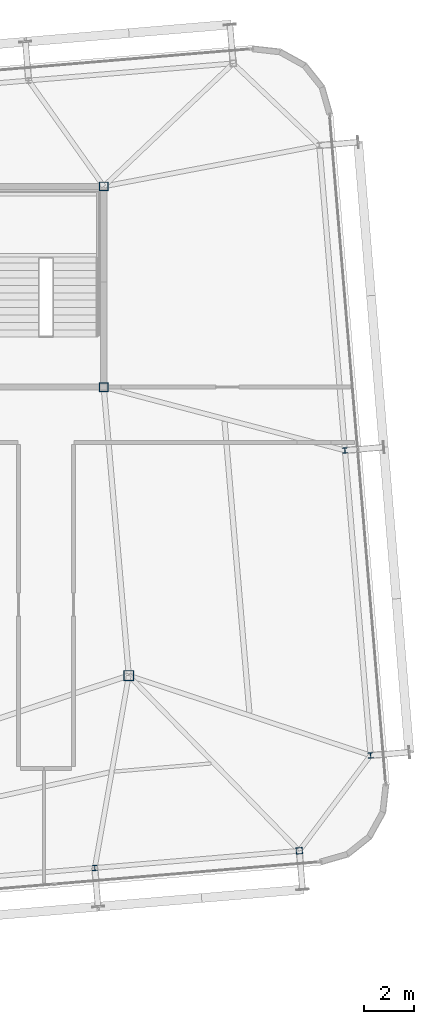
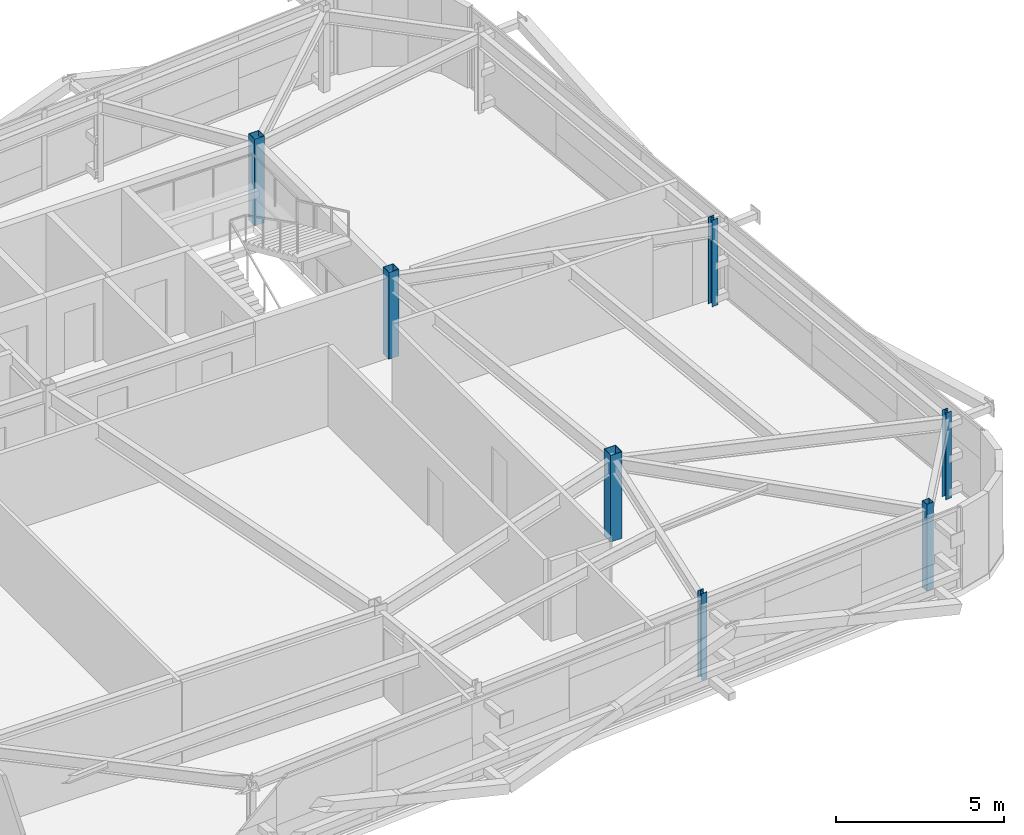
# One storey, part 4 of 37: 7 columns.
"""IFC4 building model written with IfcOpenShell, lengths in metres."""

from ifc_helpers import new_model, si_unit, direction, frame, origin, origin_2d, place, context, subcontext, project, spatial, hollow_rectangle, i_section, extrude, source, transform, mapped, material, material_profile, profile_set, type_object, element, save


model = new_model("IFC4")

# Units and contexts
model_context = context("Model", 3, precision=1e-05, world=origin(), true_north=direction((0.0, 1.0)))
body_context = subcontext(model_context, "Body", "Model", "MODEL_VIEW")
ifc_project = project(units=[si_unit("LENGTHUNIT", "METRE"), si_unit("AREAUNIT", "SQUARE_METRE"), si_unit("VOLUMEUNIT", "CUBIC_METRE"), si_unit("PLANEANGLEUNIT", "RADIAN"), si_unit("MASSUNIT", "GRAM", prefix="KILO")], contexts=[model_context])

# Site, building, storey
site_placement = place(None, origin())
site = spatial("IfcSite", under=ifc_project, at=site_placement, CompositionType="ELEMENT")
building_placement = place(site_placement, origin())
building = spatial("IfcBuilding", under=site, at=building_placement, Name="Taldren Reach Tower", CompositionType="ELEMENT")
storey_placement = place(building_placement, frame((0.0, 0.0, 200.89990234375)))
storey = spatial("IfcBuildingStorey", under=building, at=storey_placement, Name="L61", CompositionType="ELEMENT", Elevation=200.89990234375)

# Columns
ifc_material_1 = material(Name="Steel Gr 450 (C450L0)", Category="steel")
ifc_material_profile_1 = material_profile(ifc_material_1, hollow_rectangle(XDim=0.39990234375, YDim=0.39990234375, WallThickness=0.01611328125, at=origin_2d()), Name="400x400x16.0SHS")
ifc_profile_set_1 = profile_set([ifc_material_profile_1], Name="Steel Gr 450 (C450L0)")
column_type_1 = type_object("IfcColumnType", Name="COL-SHS400", PredefinedType="COLUMN", material=ifc_profile_set_1)
shared_shape_1 = source(origin(), body_context, "Body", "SweptSolid", [
    extrude(hollow_rectangle(XDim=0.39990234375, YDim=0.39990234375, WallThickness=0.01611328125, at=origin_2d()), origin(), (0.0, 0.0, 1.0), 3.150146484375),
])
column_1_placement = place(storey_placement, frame((52.0, 12.5, 0.0), z_axis=(0.0, 0.0, 1.0), x_axis=(1.0, 0.0, 0.0)))
element("IfcColumn", 1, at=column_1_placement, inside=storey, type_object=column_type_1, Name="Mega column MC-SE L61", PredefinedType="COLUMN", context=body_context, shape_type="MappedRepresentation", body=[
    mapped(shared_shape_1, transform((0.0, 0.0, 0.0), scale=1.0)),
])
ifc_material_profile_2 = material_profile(ifc_material_1, hollow_rectangle(XDim=0.35009765625, YDim=0.35009765625, WallThickness=0.01611328125, at=origin_2d()), Name="350x350x16.0SHS")
ifc_profile_set_2 = profile_set([ifc_material_profile_2], Name="Steel Gr 450 (C450L0)")
column_type_2 = type_object("IfcColumnType", Name="COL-SHS350", PredefinedType="COLUMN", material=ifc_profile_set_2)
shared_shape_2 = source(origin(), body_context, "Body", "SweptSolid", [
    extrude(hollow_rectangle(XDim=0.35009765625, YDim=0.35009765625, WallThickness=0.01611328125, at=origin_2d()), origin(), (0.0, 0.0, 1.0), 3.150146484375),
])
for number, where, z_axis, x_axis, name in (
    (2, (51.0, 24.0, 0.0), (0.0, 0.0, 1.0), (1.0, 0.0, 0.0), "Mega column MC-C4 L61"),
    (3, (51.0, 32.0, 0.0), (0.0, 0.0, 1.0), (1.0, 0.0, 0.0), "Mega column MC-C8 L61"),
):
    element("IfcColumn", number, at=place(storey_placement, frame(where, z_axis=z_axis, x_axis=x_axis)), inside=storey, type_object=column_type_2, Name=name, PredefinedType="COLUMN", context=body_context, shape_type="MappedRepresentation", body=[
        mapped(shared_shape_2, transform((0.0, 0.0, 0.0), scale=1.0)),
    ])
ifc_material_2 = material(Name="Steel Gr 350 (C350L0)", Category="steel")
ifc_material_profile_3 = material_profile(ifc_material_2, hollow_rectangle(XDim=0.25, YDim=0.25, WallThickness=0.010009765625, at=origin_2d()), Name="250x250x10.0SHS")
ifc_profile_set_3 = profile_set([ifc_material_profile_3], Name="Steel Gr 350 (C350L0)")
column_type_3 = type_object("IfcColumnType", Name="COL-SHS250", PredefinedType="COLUMN", material=ifc_profile_set_3)
shared_shape_3 = source(origin(), body_context, "Body", "SweptSolid", [
    extrude(hollow_rectangle(XDim=0.25, YDim=0.25, WallThickness=0.010009765625, at=origin_2d()), origin(), (0.0, 0.0, 1.0), 3.150146484375),
])
column_2_placement = place(storey_placement, frame((58.796142578125, 5.516357421875, 0.0), z_axis=(0.0, 0.0, 1.0), x_axis=(0.99649285925, 0.083677843332, 0.0)))
element("IfcColumn", 4, at=column_2_placement, inside=storey, type_object=column_type_3, Name="Block B4 perimeter column S6 L61", PredefinedType="COLUMN", context=body_context, shape_type="MappedRepresentation", body=[
    mapped(shared_shape_3, transform((0.0, 0.0, 0.0), scale=1.0)),
])
ifc_material_3 = material(Name="Steel Gr 350 (350PLUS)", Category="steel")
ifc_material_profile_4 = material_profile(ifc_material_3, i_section(OverallWidth=0.205078125, OverallDepth=0.2099609375, WebThickness=0.00927734375, FlangeThickness=0.01416015625, at=origin_2d()), Name="200UC59.5")
ifc_profile_set_4 = profile_set([ifc_material_profile_4], Name="Steel Gr 350 (350PLUS)")
column_type_4 = type_object("IfcColumnType", Name="COL-UC200", PredefinedType="COLUMN", material=ifc_profile_set_4)
shared_shape_4 = source(origin(), body_context, "Body", "SweptSolid", [
    extrude(i_section(OverallWidth=0.205078125, OverallDepth=0.2099609375, WebThickness=0.00927734375, FlangeThickness=0.01416015625, at=origin_2d()), origin(), (0.0, 0.0, 1.0), 3.150146484375),
])
for number, where, z_axis, x_axis, name in (
    (5, (50.644775390625, 4.83203125, 0.0), (0.0, 0.0, 1.0), (0.99649285925, 0.083677843332, 0.0), "Block B4 perimeter column S5 L61"),
    (6, (61.63818359375, 9.317626953125, 0.0), (0.0, 0.0, 1.0), (0.99649285925, 0.083677843332, 0.0), "Block B4 perimeter column E1 L61"),
    (7, (60.6171875, 21.474853515625, 0.0), (0.0, 0.0, 1.0), (0.99649285925, 0.083677843332, 0.0), "Block B4 perimeter column E2 L61"),
):
    element("IfcColumn", number, at=place(storey_placement, frame(where, z_axis=z_axis, x_axis=x_axis)), inside=storey, type_object=column_type_4, Name=name, PredefinedType="COLUMN", context=body_context, shape_type="MappedRepresentation", body=[
        mapped(shared_shape_4, transform((0.0, 0.0, 0.0), scale=1.0)),
    ])

save(model, "model.ifc")
